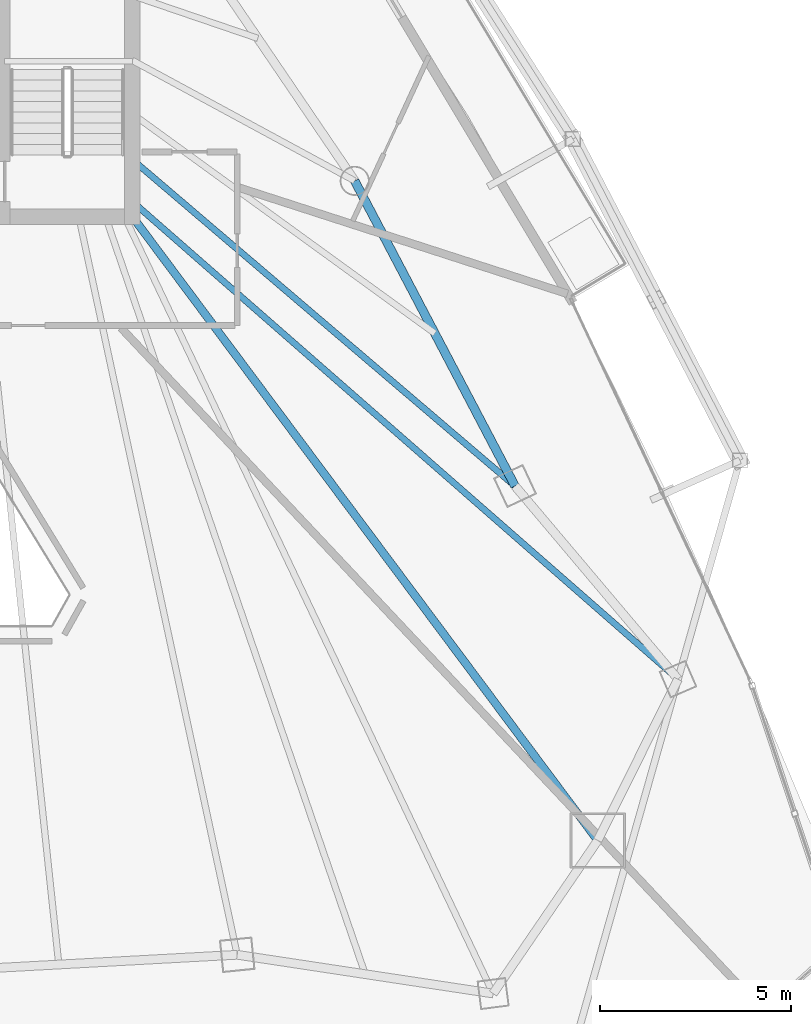
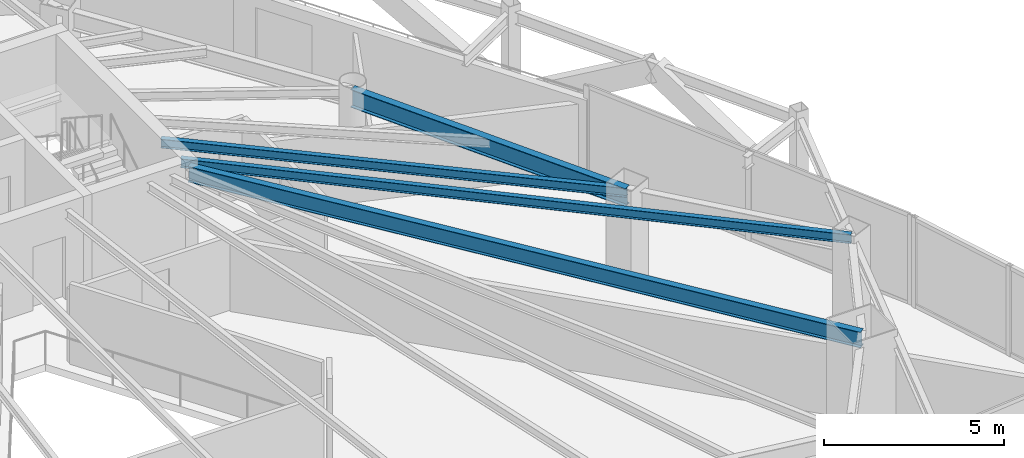
# One storey, part 17 of 31: 4 beams.
"""IFC4 building model written with IfcOpenShell, lengths in metres."""

import ifcopenshell
import ifcopenshell.guid

model = None  # the IFC model being written
_history = None  # IfcOwnerHistory: only IFC2X3 demands one
_inside = {}  # id of a spatial element -> (the spatial element, [elements in it])
_under = {}  # id of a project, library or spatial element -> (it, [spatial elements below it])
_declared = {}  # id of a project -> (the project, [libraries it declares])
_typed = {}  # id of a type object -> (the type object, [elements of that type])
_made_of = {}  # id of a material, layer set ... -> (it, [elements and type objects made of it])


def new_model(schema):
    """Start an empty IFC model of exactly this schema.

    Asked for "IFC4X3", IfcOpenShell would pick the latest addendum, in which some entities
    have other attributes; the version numbers below select the first issue.
    IFC2X3 requires an IfcOwnerHistory on every rooted entity: one is made here for all.
    """
    global model, _history
    if schema == "IFC4X3":
        model = ifcopenshell.file(schema_version=(4, 3, 0, 0))
    else:
        model = ifcopenshell.file(schema=schema)
    _inside.clear()
    _under.clear()
    _declared.clear()
    _typed.clear()
    _made_of.clear()
    _history = None
    if model.schema == "IFC2X3":
        org = make("IfcOrganization", Name="unknown")
        user = make(
            "IfcPersonAndOrganization",
            ThePerson=make("IfcPerson", FamilyName="unknown"),
            TheOrganization=org,
        )
        app = make(
            "IfcApplication",
            ApplicationDeveloper=org,
            Version="unknown",
            ApplicationFullName="unknown",
            ApplicationIdentifier="unknown",
        )
        _history = make(
            "IfcOwnerHistory",
            OwningUser=user,
            OwningApplication=app,
            ChangeAction="ADDED",
            CreationDate=0,
        )
    return model


def make(cls, **values):
    """One entity of the class cls with the attributes given. An attribute that is None is left unset."""
    return model.create_entity(
        cls, **{name: value for name, value in values.items() if value is not None}
    )


def rooted(cls, **values):
    """An entity with a GlobalId (a new one), such as an element, a storey or a relation."""
    return make(cls, GlobalId=ifcopenshell.guid.new(), OwnerHistory=_history, **values)


def si_unit(unit_type, name, prefix=None):
    """IfcSIUnit, for example si_unit("LENGTHUNIT", "METRE", prefix="MILLI")."""
    return make("IfcSIUnit", UnitType=unit_type, Prefix=prefix, Name=name)


def assignment(units):
    """IfcUnitAssignment: the units of a project."""
    return None if units is None else make("IfcUnitAssignment", Units=units)


def point(xyz):
    """IfcCartesianPoint."""
    return None if xyz is None else make("IfcCartesianPoint", Coordinates=xyz)


def direction(xyz):
    """IfcDirection."""
    return None if xyz is None else make("IfcDirection", DirectionRatios=xyz)


def frame(location, z_axis=None, x_axis=None):
    """IfcAxis2Placement3D, a coordinate frame: its origin and axes. An axis left out is left unset."""
    return make(
        "IfcAxis2Placement3D",
        Location=point(location),
        Axis=direction(z_axis),
        RefDirection=direction(x_axis),
    )


def frame_2d(location, x_axis=None):
    """IfcAxis2Placement2D, a coordinate frame in the plane: its origin and x axis."""
    return make(
        "IfcAxis2Placement2D", Location=point(location), RefDirection=direction(x_axis)
    )


def origin():
    """The frame at (0, 0, 0) with its axes left unset."""
    return frame((0.0, 0.0, 0.0))


def origin_2d():
    """The frame at (0, 0) in the plane with its x axis left unset."""
    return frame_2d((0.0, 0.0))


def place(relative_to, where):
    """IfcLocalPlacement: puts the frame where relative to a parent placement (None: the world)."""
    return make(
        "IfcLocalPlacement", PlacementRelTo=relative_to, RelativePlacement=where
    )


def context(
    kind, dimensions, precision=None, world=None, true_north=None, identifier=None
):
    """IfcGeometricRepresentationContext, for example the 3D "Model" context."""
    return make(
        "IfcGeometricRepresentationContext",
        ContextIdentifier=identifier,
        ContextType=kind,
        CoordinateSpaceDimension=dimensions,
        Precision=precision,
        WorldCoordinateSystem=world,
        TrueNorth=true_north,
    )


def subcontext(parent, identifier, kind, view, scale=None):
    """IfcGeometricRepresentationSubContext, for example "Body" below "Model"."""
    return make(
        "IfcGeometricRepresentationSubContext",
        ContextIdentifier=identifier,
        ContextType=kind,
        ParentContext=parent,
        TargetScale=scale,
        TargetView=view,
    )


def project(units=None, contexts=None):
    """IfcProject with its units and contexts."""
    return rooted(
        "IfcProject",
        Name="project",
        RepresentationContexts=contexts,
        UnitsInContext=assignment(units),
    )


def spatial(cls, under=None, at=None, **own):
    """A site, building, storey or space (cls), placed at a placement, below another one or the project."""
    s = rooted(cls, ObjectPlacement=at, **own)
    if under is not None:
        _under.setdefault(under.id(), (under, []))[1].append(s)
    return s


def profile(cls, at=None, kind="AREA", **sizes):
    """A parametric profile (cls). Its sizes go by their IFC names, for example OverallWidth=200.0."""
    return make(cls, ProfileType=kind, Position=at, **sizes)


def i_section(**sizes):
    """IfcIShapeProfileDef."""
    return profile("IfcIShapeProfileDef", **sizes)


def extrude(swept, where, along, depth):
    """IfcExtrudedAreaSolid: the profile swept, set in the frame where, extruded along a direction by depth."""
    return make(
        "IfcExtrudedAreaSolid",
        SweptArea=swept,
        Position=where,
        ExtrudedDirection=direction(along),
        Depth=depth,
    )


def shape(context_of_items, identifier, shape_type, items):
    """IfcShapeRepresentation: the items that make up one representation, for example the "Body"."""
    return make(
        "IfcShapeRepresentation",
        ContextOfItems=context_of_items,
        RepresentationIdentifier=identifier,
        RepresentationType=shape_type,
        Items=items,
    )


def material(Name=None, Category=None):
    """IfcMaterial."""
    return make("IfcMaterial", Name=Name, Category=Category)


def material_profile(
    of_material, cross_section, Name=None, Category=None, Priority=None
):
    """IfcMaterialProfile: a cross section and its material."""
    return make(
        "IfcMaterialProfile",
        Name=Name,
        Material=of_material,
        Profile=cross_section,
        Priority=Priority,
        Category=Category,
    )


def profile_set(profiles, Name=None, composite=None):
    """IfcMaterialProfileSet."""
    return make(
        "IfcMaterialProfileSet",
        Name=Name,
        MaterialProfiles=profiles,
        CompositeProfile=composite,
    )


def made_of(thing, what):
    """Note that an element or type object is made of a material, layer set ...; save() writes the relation."""
    if what is not None:
        _made_of.setdefault(what.id(), (what, []))[1].append(thing)
    return thing


def type_object(cls, material=None, **own):
    """A type object (cls), such as IfcWallType, which elements share."""
    return made_of(rooted(cls, **own), material)


def element(
    cls,
    number,
    at=None,
    inside=None,
    cuts=None,
    type_object=None,
    material=None,
    context=None,
    identifier="Body",
    shape_type=None,
    held_by="IfcProductDefinitionShape",
    body=None,
    shapes=None,
    **own,
):
    """One element of the class cls, such as IfcWall. Its Tag is "e" and its number.

    at: its placement. inside: the storey or other place that contains it. cuts: it is an
    opening in that element (IfcRelVoidsElement). A single representation is given by context,
    identifier, shape_type and body (its items); several are given by shapes. held_by: the class
    of the entity that holds the representations. save() writes the other relations.
    """
    e = rooted(cls, Tag="e%d" % number, ObjectPlacement=at, **own)
    if body is not None:
        shapes = [shape(context, identifier, shape_type, body)]
    if shapes is not None:
        e.Representation = make(held_by, Representations=shapes)
    if inside is not None:
        _inside.setdefault(inside.id(), (inside, []))[1].append(e)
    if cuts is not None:
        rooted(
            "IfcRelVoidsElement", RelatingBuildingElement=cuts, RelatedOpeningElement=e
        )
    if type_object is not None:
        _typed.setdefault(type_object.id(), (type_object, []))[1].append(e)
    return made_of(e, material)


def aggregate(whole, parts):
    """IfcRelAggregates: a whole, such as a stair, and the parts it consists of."""
    return rooted("IfcRelAggregates", RelatingObject=whole, RelatedObjects=parts)


def save(model, path):
    """Write the relations noted so far, then the file.

    IfcRelAggregates (storeys below a building ...), IfcRelContainedInSpatialStructure (elements
    in a storey), IfcRelDefinesByType, IfcRelAssociatesMaterial and IfcRelDeclares: one each for
    every whole, place, type object, material and project.
    """
    for whole, parts in _under.values():
        aggregate(whole, parts)
    for where, things in _inside.values():
        rooted(
            "IfcRelContainedInSpatialStructure",
            RelatedElements=things,
            RelatingStructure=where,
        )
    for kind, things in _typed.values():
        rooted("IfcRelDefinesByType", RelatedObjects=things, RelatingType=kind)
    for what, things in _made_of.values():
        rooted("IfcRelAssociatesMaterial", RelatedObjects=things, RelatingMaterial=what)
    for by, libraries in _declared.values():
        rooted("IfcRelDeclares", RelatingContext=by, RelatedDefinitions=libraries)
    model.write(path)


model = new_model("IFC4")

# Units and contexts
model_context = context("Model", 3, precision=1e-05, world=origin(), true_north=direction((0.0, 1.0)))
body_context = subcontext(model_context, "Body", "Model", "MODEL_VIEW")
ifc_project = project(units=[si_unit("LENGTHUNIT", "METRE"), si_unit("AREAUNIT", "SQUARE_METRE"), si_unit("VOLUMEUNIT", "CUBIC_METRE"), si_unit("PLANEANGLEUNIT", "RADIAN"), si_unit("MASSUNIT", "GRAM", prefix="KILO")], contexts=[model_context])

# Site, building, storey
site_placement = place(None, origin())
site = spatial("IfcSite", under=ifc_project, at=site_placement, CompositionType="ELEMENT")
building_placement = place(site_placement, origin())
building = spatial("IfcBuilding", under=site, at=building_placement, Name="Orvanel Arch Residences", CompositionType="ELEMENT")
storey_placement = place(building_placement, frame((0.0, 0.0, 150.64990234375)))
storey = spatial("IfcBuildingStorey", under=building, at=storey_placement, Name="L42", CompositionType="ELEMENT", Elevation=150.64990234375)

# Beams
ifc_material = material(Name="Structural steel AS/NZS 3679.1 Grade 300 (300 MPa)", Category="steel")
ifc_material_profile_1 = material_profile(ifc_material, i_section(OverallWidth=0.208984375, OverallDepth=0.532958984375, WebThickness=0.01025390625, FlangeThickness=0.015625, at=origin_2d()), Name="530UB92.4")
ifc_profile_set_1 = profile_set([ifc_material_profile_1], Name="Structural steel AS/NZS 3679.1 Grade 300 (300 MPa)")
beam_type_1 = type_object("IfcBeamType", Name="BG-530UB", PredefinedType="BEAM", material=ifc_profile_set_1)
beam_1_placement = place(storey_placement, frame((39.625, 26.675048828125, 2.794189453125), z_axis=(0.597893733742, -0.801575375839, 0.0), x_axis=(0.801575375839, 0.597893733742, 0.0)))
element("IfcBeam", 1, at=beam_1_placement, inside=storey, type_object=beam_type_1, Name="L42 South-East Radial Girder", PredefinedType="BEAM", context=body_context, shape_type="SweptSolid", body=[
    extrude(i_section(OverallWidth=0.208984375, OverallDepth=0.532958984375, WebThickness=0.01025390625, FlangeThickness=0.015625, at=origin_2d()), origin(), (0.0, 0.0, 1.0), 20.36474609375),
])
ifc_material_profile_2 = material_profile(ifc_material, i_section(OverallWidth=0.1650390625, OverallDepth=0.303955078125, WebThickness=0.006103515625, FlangeThickness=0.01025390625, at=origin_2d()), Name="310UB40.4")
ifc_profile_set_2 = profile_set([ifc_material_profile_2], Name="Structural steel AS/NZS 3679.1 Grade 300 (300 MPa)")
beam_type_2 = type_object("IfcBeamType", Name="BJ-310UB", PredefinedType="JOIST", material=ifc_profile_set_2)
beam_2_placement = place(storey_placement, frame((39.60009765625, 28.199951171875, 2.908203125), z_axis=(0.760821315761, -0.648961420644, 0.0), x_axis=(0.648961420644, 0.760821315761, 0.0)))
element("IfcBeam", 2, at=beam_2_placement, inside=storey, type_object=beam_type_2, Name="L42 E Wing Floor Joist", PredefinedType="JOIST", context=body_context, shape_type="SweptSolid", body=[
    extrude(i_section(OverallWidth=0.1650390625, OverallDepth=0.303955078125, WebThickness=0.006103515625, FlangeThickness=0.01025390625, at=origin_2d()), origin(), (0.0, 0.0, 1.0), 13.18701171875),
])
beam_3_placement = place(storey_placement, frame((39.60009765625, 27.10009765625, 2.908203125), z_axis=(0.752493154183, -0.658600070534, 0.0), x_axis=(0.658600070534, 0.752493154183, 0.0)))
element("IfcBeam", 3, at=beam_3_placement, inside=storey, type_object=beam_type_2, Name="L42 ME Wing Floor Joist", PredefinedType="JOIST", context=body_context, shape_type="SweptSolid", body=[
    extrude(i_section(OverallWidth=0.1650390625, OverallDepth=0.303955078125, WebThickness=0.006103515625, FlangeThickness=0.01025390625, at=origin_2d()), origin(), (0.0, 0.0, 1.0), 19.010009765625),
])
ifc_material_profile_3 = material_profile(ifc_material, i_section(OverallWidth=0.22900390625, OverallDepth=0.612060546875, WebThickness=0.011962890625, FlangeThickness=0.01953125, at=origin_2d()), Name="610UB125")
ifc_profile_set_3 = profile_set([ifc_material_profile_3], Name="Structural steel AS/NZS 3679.1 Grade 300 (300 MPa)")
beam_type_3 = type_object("IfcBeamType", Name="SP-610UB", PredefinedType="SPANDREL", material=ifc_profile_set_3)
beam_4_placement = place(storey_placement, frame((49.633056640625, 19.64208984375, 2.754150390625), z_axis=(-0.465064762793, 0.885276660942, 0.0), x_axis=(-0.885276660942, -0.465064762793, 0.0)))
element("IfcBeam", 4, at=beam_4_placement, inside=storey, type_object=beam_type_3, Name="L42 Perimeter Spandrel Beam 11", PredefinedType="SPANDREL", context=body_context, shape_type="SweptSolid", body=[
    extrude(i_section(OverallWidth=0.22900390625, OverallDepth=0.612060546875, WebThickness=0.011962890625, FlangeThickness=0.01953125, at=origin_2d()), origin(), (0.0, 0.0, 1.0), 9.03564453125),
])

save(model, "model.ifc")
